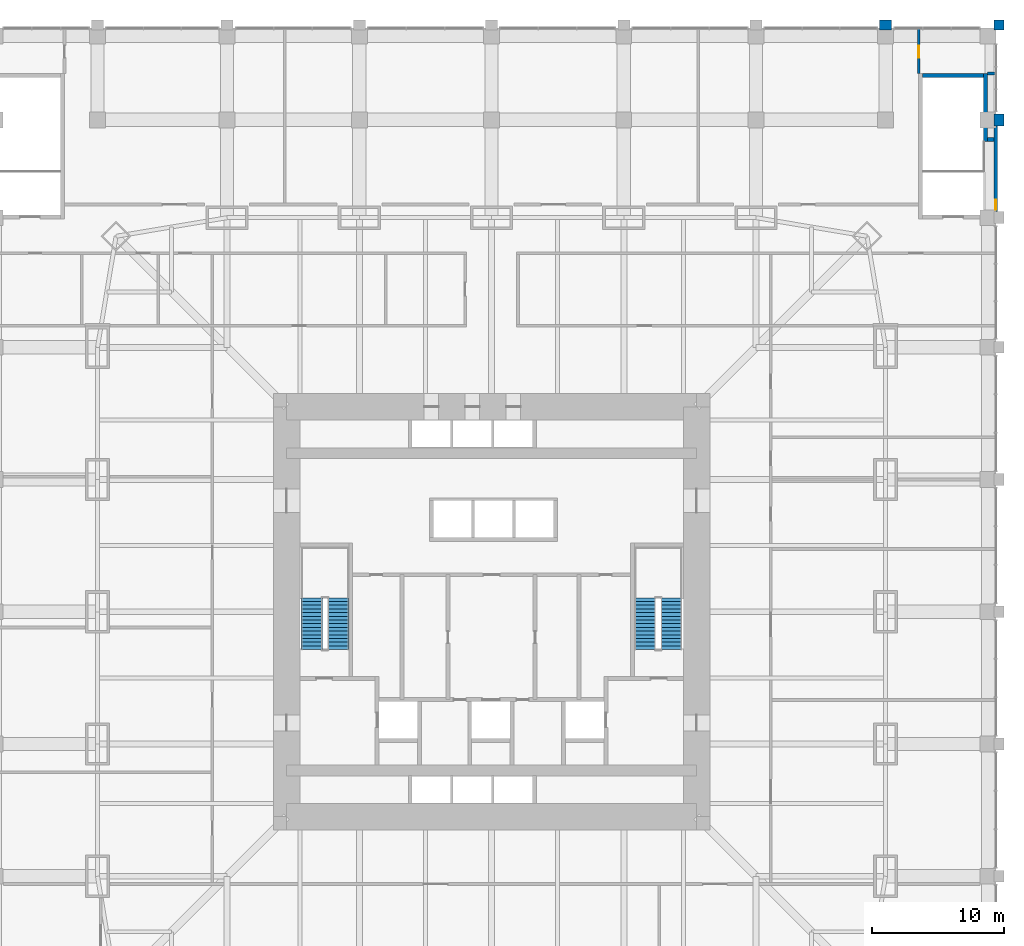
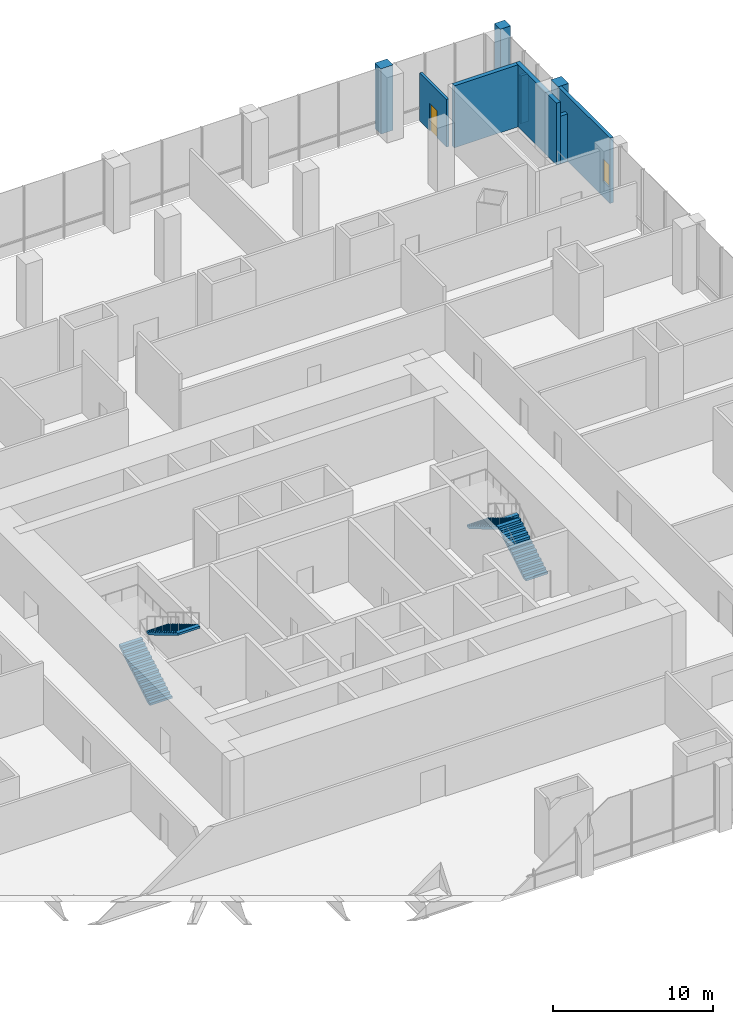
# One storey, part 21 of 22: 9 walls, 4 stair flights, 1 door, 1 window, 2 openings, 2 elements without a shape of their own.
"""IFC4 building model written with IfcOpenShell, lengths in metres."""

from ifc_helpers import new_model, si_unit, direction, frame, frame_2d, origin, place, context, subcontext, project, spatial, polyline, rectangle, outline, extrude, material, layer, layer_set, type_object, element, fill, aggregate, save


model = new_model("IFC4")

# Units and contexts
model_context = context("Model", 3, precision=1e-05, world=origin(), true_north=direction((0.0, 1.0)))
body_context = subcontext(model_context, "Body", "Model", "MODEL_VIEW")
ifc_project = project(units=[si_unit("LENGTHUNIT", "METRE"), si_unit("AREAUNIT", "SQUARE_METRE"), si_unit("VOLUMEUNIT", "CUBIC_METRE"), si_unit("PLANEANGLEUNIT", "RADIAN"), si_unit("MASSUNIT", "GRAM", prefix="KILO")], contexts=[model_context])

# Site, building, storey
site_placement = place(None, origin())
site = spatial("IfcSite", under=ifc_project, at=site_placement, CompositionType="ELEMENT")
building_placement = place(site_placement, origin())
building = spatial("IfcBuilding", under=site, at=building_placement, Name="Khuree Lantern Residences", CompositionType="ELEMENT")
storey_placement = place(building_placement, frame((0.0, 0.0, 16.0)))
storey = spatial("IfcBuildingStorey", under=building, at=storey_placement, Name="L03", CompositionType="ELEMENT", Elevation=16.0)

# Walls
ifc_material_1 = material(Name="Dense concrete blockwork", Category="masonry")
ifc_layer_1 = layer(ifc_material_1, 0.300048828125)
ifc_layer_set_1 = layer_set([ifc_layer_1], Name="CORE PARTITION WALL CPW300 EI 120")
wall_type_1 = type_object("IfcWallType", Name="CORE PARTITION WALL CPW300 EI 120", PredefinedType="PARTITIONING", material=ifc_layer_set_1)
wall_1_placement = place(storey_placement, frame((38.0, 35.7060546875, 0.0), z_axis=(0.0, 0.0, 1.0), x_axis=(-1.0, 0.0, 0.0)))
element("IfcWall", 1, at=wall_1_placement, inside=storey, type_object=wall_type_1, Name="L03 STAIR ST4 WALL X", PredefinedType="PARTITIONING", context=body_context, shape_type="SweptSolid", body=[
    extrude(rectangle(XDim=0.5, YDim=0.300048828125, at=frame_2d((0.25, 0.0))), origin(), (0.0, 0.0, 1.0), 3.64990234375),
])
ifc_material_2 = material(Name="Flamed granite cladding on blockwork", Category="masonry")
ifc_layer_2 = layer(ifc_material_2, 0.75)
ifc_layer_set_2 = layer_set([ifc_layer_2], Name="PODIUM PIER PR1 900X750")
wall_type_2 = type_object("IfcWallType", Name="PODIUM PIER PR1 900X750", PredefinedType="SOLIDWALL", material=ifc_layer_set_2)
wall_2_placement = place(storey_placement, frame((38.375, 36.75, 0.0), z_axis=(0.0, 0.0, 1.0), x_axis=(0.0, 1.0, 0.0)))
element("IfcWall", 2, at=wall_2_placement, inside=storey, type_object=wall_type_2, Name="L03 EAST FACE PIER 7", PredefinedType="SOLIDWALL", context=body_context, shape_type="SweptSolid", body=[
    extrude(rectangle(XDim=0.89990234375, YDim=0.75, at=frame_2d((0.449951171875, 0.0))), origin(), (0.0, 0.0, 1.0), 5.0),
])
wall_3_placement = place(storey_placement, frame((38.375, 44.0, 0.0), z_axis=(0.0, 0.0, 1.0), x_axis=(0.0, 1.0, 0.0)))
element("IfcWall", 3, at=wall_3_placement, inside=storey, type_object=wall_type_2, Name="L03 EAST FACE PIER 8", PredefinedType="SOLIDWALL", context=body_context, shape_type="SweptSolid", body=[
    extrude(rectangle(XDim=0.75, YDim=0.75, at=frame_2d((0.375, 0.0))), origin(), (0.0, 0.0, 1.0), 5.0),
])
wall_4_placement = place(storey_placement, frame((30.25, 44.375, 0.0), z_axis=(0.0, 0.0, 1.0), x_axis=(-1.0, 0.0, 0.0)))
element("IfcWall", 4, at=wall_4_placement, inside=storey, type_object=wall_type_2, Name="L03 NORTH FACE PIER 1", PredefinedType="SOLIDWALL", context=body_context, shape_type="SweptSolid", body=[
    extrude(rectangle(XDim=0.89990234375, YDim=0.75, at=frame_2d((0.449951171875, 0.0))), origin(), (0.0, 0.0, 1.0), 5.0),
])

# Wall, opening, window
ifc_layer_3 = layer(ifc_material_2, 0.25)
ifc_layer_set_3 = layer_set([ifc_layer_3], Name="PODIUM STONE WALL SW1 250")
wall_type_3 = type_object("IfcWallType", Name="PODIUM STONE WALL SW1 250", PredefinedType="SOLIDWALL", material=ifc_layer_set_3)
wall_5_placement = place(storey_placement, frame((38.125, 30.25, 0.0), z_axis=(0.0, 0.0, 1.0), x_axis=(0.0, 1.0, 0.0)))
wall_5 = element("IfcWall", 5, at=wall_5_placement, inside=storey, type_object=wall_type_3, Name="L03 EAST FACE BAY 7 STONE WALL", PredefinedType="SOLIDWALL", context=body_context, shape_type="SweptSolid", body=[
    extrude(rectangle(XDim=6.5, YDim=0.25, at=frame_2d((3.25, 0.0))), origin(), (0.0, 0.0, 1.0), 5.0),
])
opening_1_placement = place(wall_5_placement, frame((0.14990234375, 0.0, 1.199951171875)))
opening_1 = element("IfcOpeningElement", 6, at=opening_1_placement, cuts=wall_5, Name="Opening L03-W01", PredefinedType="OPENING", context=body_context, shape_type="SweptSolid", body=[
    extrude(rectangle(XDim=0.75, YDim=1.699951171875, at=frame_2d((0.375, 0.85009765625))), frame((0.0, 0.135009765625, 0.0), z_axis=(0.0, -1.0, 0.0), x_axis=(1.0, 0.0, 0.0)), (0.0, 0.0, 1.0), 0.27001953125),
])
ifc_material_3 = material(Name="Aluminium frame, triple glazing", Category="aluminium")
window_type = type_object("IfcWindowType", Name="STAIR WINDOW W1 750X1700", PartitioningType="SINGLE_PANEL", PredefinedType="WINDOW", material=ifc_material_3)
window_placement = place(opening_1_placement, origin())
window = element("IfcWindow", 7, at=window_placement, inside=storey, type_object=window_type, Name="Stair ST4 window L03-W01", OverallHeight=1.699951171875, OverallWidth=0.75, PartitioningType="SINGLE_PANEL", PredefinedType="WINDOW", context=body_context, shape_type="SweptSolid", body=[
    extrude(rectangle(XDim=0.75, YDim=1.699951171875, at=frame_2d((0.375, 0.85009765625))), frame((0.0, 0.030029296875, 0.0), z_axis=(0.0, -1.0, 0.0), x_axis=(1.0, 0.0, 0.0)), (0.0, 0.0, 1.0), 0.06005859375),
])
fill(opening_1, window)

# Wall
ifc_layer_4 = layer(ifc_material_1, 0.199951171875)
ifc_layer_set_4 = layer_set([ifc_layer_4], Name="ROOM WALL RMW200")
wall_type_4 = type_object("IfcWallType", Name="ROOM WALL RMW200", PredefinedType="SOLIDWALL", material=ifc_layer_set_4)
wall_6_placement = place(storey_placement, frame((37.52001953125, 40.699951171875, 0.0), z_axis=(0.0, 0.0, 1.0), x_axis=(1.0, 0.0, 0.0)))
element("IfcWall", 8, at=wall_6_placement, inside=storey, type_object=wall_type_4, Name="L03 ROOM WALL 43", PredefinedType="SOLIDWALL", context=body_context, shape_type="SweptSolid", body=[
    extrude(rectangle(XDim=0.554931640625, YDim=0.199951171875, at=frame_2d((0.27734375, 0.0))), origin(), (0.0, 0.0, 1.0), 3.64990234375),
])

# Wall, opening, door
wall_7_placement = place(storey_placement, frame((32.300048828125, 40.719970703125, 0.0), z_axis=(0.0, 0.0, 1.0), x_axis=(0.0, 1.0, 0.0)))
wall_7 = element("IfcWall", 9, at=wall_7_placement, inside=storey, type_object=wall_type_4, Name="L03 ROOM WALL 45", PredefinedType="SOLIDWALL", context=body_context, shape_type="SweptSolid", body=[
    extrude(rectangle(XDim=3.35498046875, YDim=0.199951171875, at=frame_2d((1.677490234375, 0.0))), origin(), (0.0, 0.0, 1.0), 3.64990234375),
])
opening_2_placement = place(wall_7_placement, frame((1.179931640625, 0.0, 0.0)))
opening_2 = element("IfcOpeningElement", 10, at=opening_2_placement, cuts=wall_7, Name="Opening 03-044", PredefinedType="OPENING", context=body_context, shape_type="SweptSolid", body=[
    extrude(rectangle(XDim=0.89990234375, YDim=2.10009765625, at=frame_2d((0.449951171875, 1.050048828125))), frame((0.0, 0.10986328125, 0.0), z_axis=(0.0, -1.0, 0.0), x_axis=(1.0, 0.0, 0.0)), (0.0, 0.0, 1.0), 0.219970703125),
])
ifc_material_4 = material(Name="Timber door leaf in hardwood frame", Category="wood")
door_type = type_object("IfcDoorType", Name="WC DOOR 900X2100", OperationType="SINGLE_SWING_LEFT", PredefinedType="DOOR", material=ifc_material_4)
door_placement = place(opening_2_placement, origin())
door = element("IfcDoor", 11, at=door_placement, inside=storey, type_object=door_type, Name="Cleaner's store door 03-044", OperationType="SINGLE_SWING_LEFT", OverallHeight=2.10009765625, OverallWidth=0.89990234375, PredefinedType="DOOR", context=body_context, shape_type="SweptSolid", body=[
    extrude(rectangle(XDim=0.89990234375, YDim=2.10009765625, at=frame_2d((0.449951171875, 1.050048828125))), frame((0.0, 0.02490234375, 0.0), z_axis=(0.0, -1.0, 0.0), x_axis=(1.0, 0.0, 0.0)), (0.0, 0.0, 1.0), 0.050048828125),
])
fill(opening_2, door)

# Walls
ifc_material_5 = material(Name="Concrete C50/60", Category="concrete")
ifc_layer_5 = layer(ifc_material_5, 0.300048828125)
ifc_layer_set_5 = layer_set([ifc_layer_5], Name="STAIR WALL SRW300 C50/60 REI 240")
wall_type_5 = type_object("IfcWallType", Name="STAIR WALL SRW300 C50/60 REI 240", PredefinedType="SOLIDWALL", material=ifc_layer_set_5)
wall_8_placement = place(storey_placement, frame((37.35009765625, 35.555908203125, 0.0), z_axis=(0.0, 0.0, 1.0), x_axis=(0.0, 1.0, 0.0)))
element("IfcWall", 12, at=wall_8_placement, inside=storey, type_object=wall_type_5, Name="L03 STAIR ST4 WALL O", PredefinedType="SOLIDWALL", context=body_context, shape_type="SweptSolid", body=[
    extrude(rectangle(XDim=5.14404296875, YDim=0.300048828125, at=frame_2d((2.572021484375, 0.0))), origin(), (0.0, 0.0, 1.0), 4.75),
])
wall_9_placement = place(storey_placement, frame((37.199951171875, 40.550048828125, 0.0), z_axis=(0.0, 0.0, 1.0), x_axis=(-1.0, 0.0, 0.0)))
element("IfcWall", 13, at=wall_9_placement, inside=storey, type_object=wall_type_5, Name="L03 STAIR ST4 WALL N", PredefinedType="SOLIDWALL", context=body_context, shape_type="SweptSolid", body=[
    extrude(rectangle(XDim=4.599853515625, YDim=0.300048828125, at=frame_2d((2.2998046875, 0.0))), origin(), (0.0, 0.0, 1.0), 4.75),
])

# Stair, stair flights
ifc_material_6 = material(Name="Concrete C40/50", Category="concrete")
stair_type = type_object("IfcStairType", Name="STAIR ST1 HALF TURN 3600", PredefinedType="HALF_TURN_STAIR", material=ifc_material_6)
stair_1_placement = place(storey_placement, origin())
stair_1 = element("IfcStair", 14, at=stair_1_placement, inside=storey, type_object=stair_type, Name="Stair ST1", PredefinedType="HALF_TURN_STAIR")
stair_flight_type = type_object("IfcStairFlightType", Name="STAIR FLIGHT SF1 1600", PredefinedType="STRAIGHT", material=ifc_material_6)
stair_flight_1_placement = place(storey_placement, frame((-13.60009765625, -2.860107421875, 0.0), z_axis=(0.0, 0.0, 1.0), x_axis=(0.0, 1.0, 0.0)))
stair_flight_1 = element("IfcStairFlight", 15, at=stair_flight_1_placement, type_object=stair_flight_type, Name="ST1 flight 1", NumberOfRisers=15, NumberOfTreads=14, PredefinedType="STRAIGHT", RiserHeight=0.166666667, TreadLength=0.28, context=body_context, shape_type="SweptSolid", body=[
    extrude(outline(polyline([(0.0, 0.0), (0.0, 0.166748046875), (0.280029296875, 0.166748046875), (0.280029296875, 0.333251953125), (0.56005859375, 0.333251953125), (0.56005859375, 0.5), (0.840087890625, 0.5), (0.840087890625, 0.666748046875), (1.1201171875, 0.666748046875), (1.1201171875, 0.833251953125), (1.39990234375, 0.833251953125), (1.39990234375, 1.0), (1.679931640625, 1.0), (1.679931640625, 1.166748046875), (1.9599609375, 1.166748046875), (1.9599609375, 1.333251953125), (2.239990234375, 1.333251953125), (2.239990234375, 1.5), (2.52001953125, 1.5), (2.52001953125, 1.666748046875), (2.800048828125, 1.666748046875), (2.800048828125, 1.833251953125), (3.080078125, 1.833251953125), (3.080078125, 2.0), (3.360107421875, 2.0), (3.360107421875, 2.166748046875), (3.639892578125, 2.166748046875), (3.639892578125, 2.333251953125), (3.919921875, 2.333251953125), (3.919921875, 2.5), (3.919921875, 2.158935546875), (0.29296875, 0.0), (0.0, 0.0)])), frame((0.0, 0.800048828125, 0.0), z_axis=(0.0, -1.0, 0.0), x_axis=(1.0, 0.0, 0.0)), (0.0, 0.0, 1.0), 1.60009765625),
])
stair_flight_2_placement = place(storey_placement, frame((-11.60009765625, 1.06005859375, 2.5), z_axis=(0.0, 0.0, 1.0), x_axis=(0.0, -1.0, 0.0)))
stair_flight_2 = element("IfcStairFlight", 16, at=stair_flight_2_placement, type_object=stair_flight_type, Name="ST1 flight 2", NumberOfRisers=15, NumberOfTreads=14, PredefinedType="STRAIGHT", RiserHeight=0.166666667, TreadLength=0.28, context=body_context, shape_type="SweptSolid", body=[
    extrude(outline(polyline([(0.0, 0.0), (0.0, 0.166748046875), (0.280029296875, 0.166748046875), (0.280029296875, 0.333251953125), (0.56005859375, 0.333251953125), (0.56005859375, 0.5), (0.840087890625, 0.5), (0.840087890625, 0.666748046875), (1.1201171875, 0.666748046875), (1.1201171875, 0.833251953125), (1.39990234375, 0.833251953125), (1.39990234375, 1.0), (1.679931640625, 1.0), (1.679931640625, 1.166748046875), (1.9599609375, 1.166748046875), (1.9599609375, 1.333251953125), (2.239990234375, 1.333251953125), (2.239990234375, 1.5), (2.52001953125, 1.5), (2.52001953125, 1.666748046875), (2.800048828125, 1.666748046875), (2.800048828125, 1.833251953125), (3.080078125, 1.833251953125), (3.080078125, 2.0), (3.360107421875, 2.0), (3.360107421875, 2.166748046875), (3.639892578125, 2.166748046875), (3.639892578125, 2.333251953125), (3.919921875, 2.333251953125), (3.919921875, 2.5), (3.919921875, 2.158935546875), (0.29296875, 0.0), (0.0, 0.0)])), frame((0.0, 0.800048828125, 0.0), z_axis=(0.0, -1.0, 0.0), x_axis=(1.0, 0.0, 0.0)), (0.0, 0.0, 1.0), 1.60009765625),
])
aggregate(stair_1, [stair_flight_1, stair_flight_2])

stair_2_placement = place(storey_placement, origin())
stair_2 = element("IfcStair", 17, at=stair_2_placement, inside=storey, type_object=stair_type, Name="Stair ST2", PredefinedType="HALF_TURN_STAIR")
stair_flight_3_placement = place(storey_placement, frame((13.60009765625, -2.860107421875, 0.0), z_axis=(0.0, 0.0, 1.0), x_axis=(0.0, 1.0, 0.0)))
stair_flight_3 = element("IfcStairFlight", 18, at=stair_flight_3_placement, type_object=stair_flight_type, Name="ST2 flight 1", NumberOfRisers=15, NumberOfTreads=14, PredefinedType="STRAIGHT", RiserHeight=0.166666667, TreadLength=0.28, context=body_context, shape_type="SweptSolid", body=[
    extrude(outline(polyline([(0.0, 0.0), (0.0, 0.166748046875), (0.280029296875, 0.166748046875), (0.280029296875, 0.333251953125), (0.56005859375, 0.333251953125), (0.56005859375, 0.5), (0.840087890625, 0.5), (0.840087890625, 0.666748046875), (1.1201171875, 0.666748046875), (1.1201171875, 0.833251953125), (1.39990234375, 0.833251953125), (1.39990234375, 1.0), (1.679931640625, 1.0), (1.679931640625, 1.166748046875), (1.9599609375, 1.166748046875), (1.9599609375, 1.333251953125), (2.239990234375, 1.333251953125), (2.239990234375, 1.5), (2.52001953125, 1.5), (2.52001953125, 1.666748046875), (2.800048828125, 1.666748046875), (2.800048828125, 1.833251953125), (3.080078125, 1.833251953125), (3.080078125, 2.0), (3.360107421875, 2.0), (3.360107421875, 2.166748046875), (3.639892578125, 2.166748046875), (3.639892578125, 2.333251953125), (3.919921875, 2.333251953125), (3.919921875, 2.5), (3.919921875, 2.158935546875), (0.29296875, 0.0), (0.0, 0.0)])), frame((0.0, 0.800048828125, 0.0), z_axis=(0.0, -1.0, 0.0), x_axis=(1.0, 0.0, 0.0)), (0.0, 0.0, 1.0), 1.60009765625),
])
stair_flight_4_placement = place(storey_placement, frame((11.60009765625, 1.06005859375, 2.5), z_axis=(0.0, 0.0, 1.0), x_axis=(0.0, -1.0, 0.0)))
stair_flight_4 = element("IfcStairFlight", 19, at=stair_flight_4_placement, type_object=stair_flight_type, Name="ST2 flight 2", NumberOfRisers=15, NumberOfTreads=14, PredefinedType="STRAIGHT", RiserHeight=0.166666667, TreadLength=0.28, context=body_context, shape_type="SweptSolid", body=[
    extrude(outline(polyline([(0.0, 0.0), (0.0, 0.166748046875), (0.280029296875, 0.166748046875), (0.280029296875, 0.333251953125), (0.56005859375, 0.333251953125), (0.56005859375, 0.5), (0.840087890625, 0.5), (0.840087890625, 0.666748046875), (1.1201171875, 0.666748046875), (1.1201171875, 0.833251953125), (1.39990234375, 0.833251953125), (1.39990234375, 1.0), (1.679931640625, 1.0), (1.679931640625, 1.166748046875), (1.9599609375, 1.166748046875), (1.9599609375, 1.333251953125), (2.239990234375, 1.333251953125), (2.239990234375, 1.5), (2.52001953125, 1.5), (2.52001953125, 1.666748046875), (2.800048828125, 1.666748046875), (2.800048828125, 1.833251953125), (3.080078125, 1.833251953125), (3.080078125, 2.0), (3.360107421875, 2.0), (3.360107421875, 2.166748046875), (3.639892578125, 2.166748046875), (3.639892578125, 2.333251953125), (3.919921875, 2.333251953125), (3.919921875, 2.5), (3.919921875, 2.158935546875), (0.29296875, 0.0), (0.0, 0.0)])), frame((0.0, 0.800048828125, 0.0), z_axis=(0.0, -1.0, 0.0), x_axis=(1.0, 0.0, 0.0)), (0.0, 0.0, 1.0), 1.60009765625),
])
aggregate(stair_2, [stair_flight_3, stair_flight_4])

save(model, "model.ifc")
